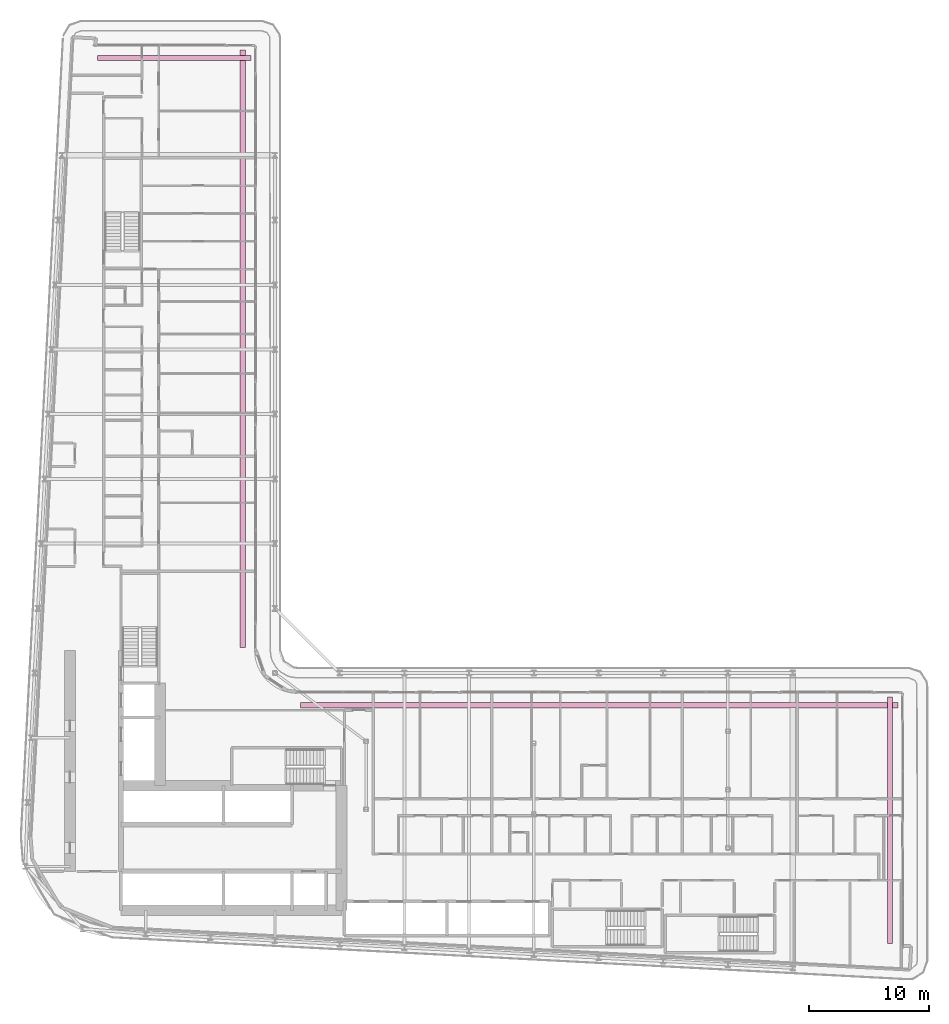
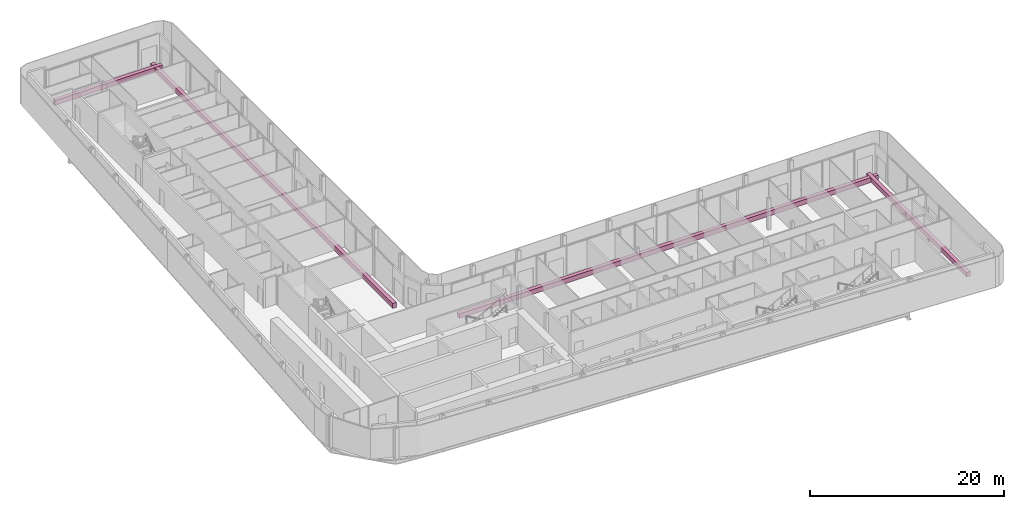
# One storey, part 28 of 28: 4 furniture elements.
"""IFC4 building model written with IfcOpenShell, lengths in metres."""

from ifc_helpers import new_model, si_unit, direction, frame, origin, origin_2d, place, context, subcontext, project, spatial, rectangle, extrude, material, type_object, element, save


model = new_model("IFC4")

# Units and contexts
model_context = context("Model", 3, precision=1e-05, world=origin(), true_north=direction((0.0, 1.0)))
body_context = subcontext(model_context, "Body", "Model", "MODEL_VIEW")
ifc_project = project(units=[si_unit("LENGTHUNIT", "METRE"), si_unit("AREAUNIT", "SQUARE_METRE"), si_unit("VOLUMEUNIT", "CUBIC_METRE"), si_unit("PLANEANGLEUNIT", "RADIAN"), si_unit("MASSUNIT", "GRAM", prefix="KILO")], contexts=[model_context])

# Site, building, storey
site_placement = place(None, origin())
site = spatial("IfcSite", under=ifc_project, at=site_placement, CompositionType="ELEMENT")
building_placement = place(site_placement, origin())
building = spatial("IfcBuilding", under=site, at=building_placement, Name="Kheshtan School and Residences Tower", CompositionType="ELEMENT")
storey_placement = place(building_placement, frame((0.0, 0.0, 129.199951171875)))
storey = spatial("IfcBuildingStorey", under=building, at=storey_placement, Name="L30", CompositionType="ELEMENT", Elevation=129.199951171875)

# Furniture
ifc_material = material(Name="Precast concrete C30/37 in terracotta finish", Category="masonry")
furniture_type = type_object("IfcFurnitureType", Name="Planter trough", AssemblyPlace="NOTDEFINED", PredefinedType="USERDEFINED", material=ifc_material)
furniture_1_placement = place(storey_placement, frame((39.196044921875, 96.925048828125, 0.0), z_axis=(0.0, 0.0, 1.0), x_axis=(1.0, 0.0, 0.0)))
element("IfcFurniture", 1, at=furniture_1_placement, inside=storey, type_object=furniture_type, Name="Planter L30", ObjectType="PLANTER", PredefinedType="USERDEFINED", context=body_context, shape_type="SweptSolid", body=[
    extrude(rectangle(XDim=12.80810546875, YDim=0.449951171875, at=origin_2d()), origin(), (0.0, 0.0, 1.0), 0.60009765625),
])
for number, where, z_axis, x_axis, name in (
    (2, (44.925048828125, 72.6650390625, 0.0), (0.0, 0.0, 1.0), (0.0, -1.0, 0.0), "Planter L30"),
    (3, (74.6650390625, 42.925048828125, 0.0), (0.0, 0.0, 1.0), (1.0, 0.0, 0.0), "Planter L30"),
):
    element("IfcFurniture", number, at=place(storey_placement, frame(where, z_axis=z_axis, x_axis=x_axis)), inside=storey, type_object=furniture_type, Name=name, ObjectType="PLANTER", PredefinedType="USERDEFINED", context=body_context, shape_type="SweptSolid", body=[
        extrude(rectangle(XDim=49.8701171875, YDim=0.449951171875, at=origin_2d()), origin(), (0.0, 0.0, 1.0), 0.60009765625),
    ])
furniture_2_placement = place(storey_placement, frame((98.925048828125, 33.306884765625, 0.0), z_axis=(0.0, 0.0, 1.0), x_axis=(0.0, -1.0, 0.0)))
element("IfcFurniture", 4, at=furniture_2_placement, inside=storey, type_object=furniture_type, Name="Planter L30", ObjectType="PLANTER", PredefinedType="USERDEFINED", context=body_context, shape_type="SweptSolid", body=[
    extrude(rectangle(XDim=20.5859375, YDim=0.449951171875, at=origin_2d()), origin(), (0.0, 0.0, 1.0), 0.60009765625),
])

save(model, "model.ifc")
